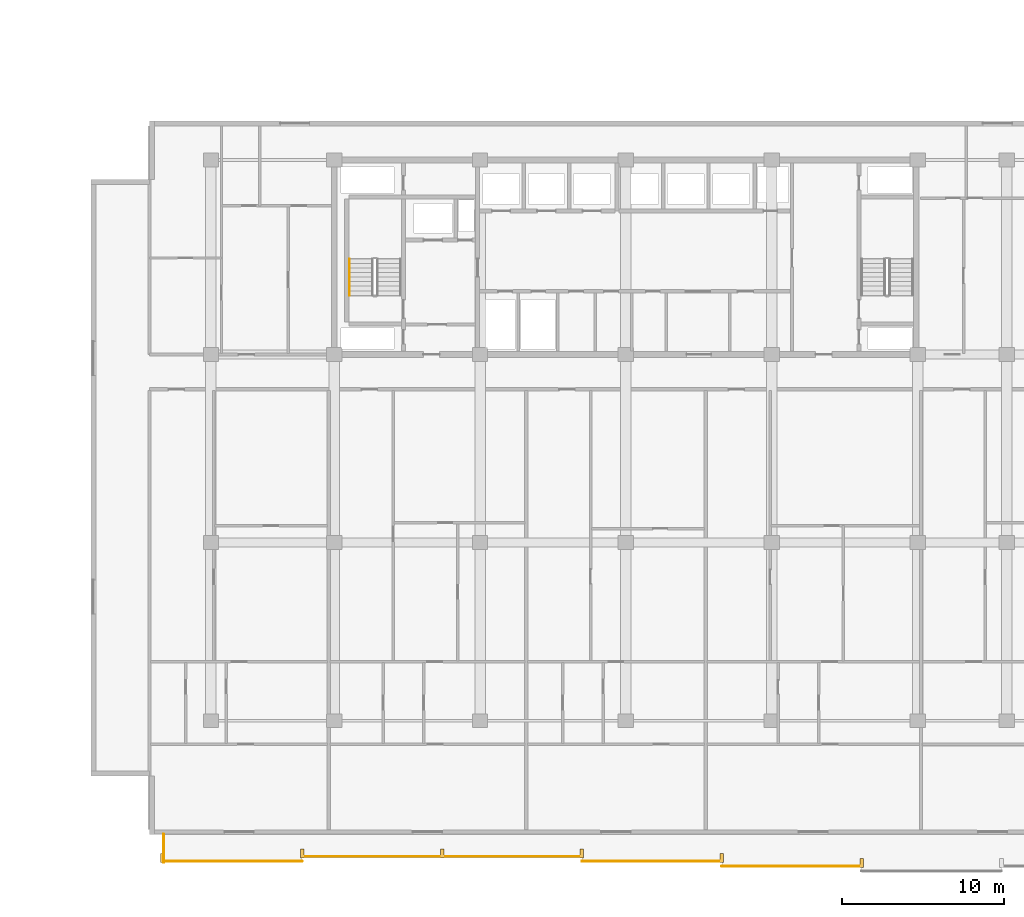
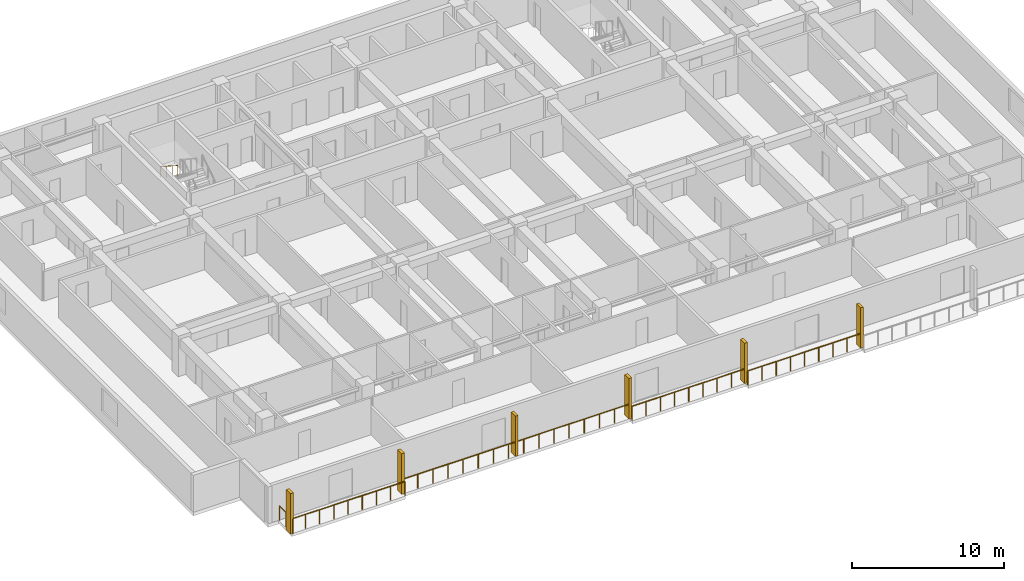
# One storey, part 19 of 23: 6 railings, 6 shading devices.
"""IFC4 building model written with IfcOpenShell, lengths in metres."""

import ifcopenshell
import ifcopenshell.guid

model = None  # the IFC model being written
_history = None  # IfcOwnerHistory: only IFC2X3 demands one
_inside = {}  # id of a spatial element -> (the spatial element, [elements in it])
_under = {}  # id of a project, library or spatial element -> (it, [spatial elements below it])
_declared = {}  # id of a project -> (the project, [libraries it declares])
_typed = {}  # id of a type object -> (the type object, [elements of that type])
_made_of = {}  # id of a material, layer set ... -> (it, [elements and type objects made of it])


def new_model(schema):
    """Start an empty IFC model of exactly this schema.

    Asked for "IFC4X3", IfcOpenShell would pick the latest addendum, in which some entities
    have other attributes; the version numbers below select the first issue.
    IFC2X3 requires an IfcOwnerHistory on every rooted entity: one is made here for all.
    """
    global model, _history
    if schema == "IFC4X3":
        model = ifcopenshell.file(schema_version=(4, 3, 0, 0))
    else:
        model = ifcopenshell.file(schema=schema)
    _inside.clear()
    _under.clear()
    _declared.clear()
    _typed.clear()
    _made_of.clear()
    _history = None
    if model.schema == "IFC2X3":
        org = make("IfcOrganization", Name="unknown")
        user = make(
            "IfcPersonAndOrganization",
            ThePerson=make("IfcPerson", FamilyName="unknown"),
            TheOrganization=org,
        )
        app = make(
            "IfcApplication",
            ApplicationDeveloper=org,
            Version="unknown",
            ApplicationFullName="unknown",
            ApplicationIdentifier="unknown",
        )
        _history = make(
            "IfcOwnerHistory",
            OwningUser=user,
            OwningApplication=app,
            ChangeAction="ADDED",
            CreationDate=0,
        )
    return model


def make(cls, **values):
    """One entity of the class cls with the attributes given. An attribute that is None is left unset."""
    return model.create_entity(
        cls, **{name: value for name, value in values.items() if value is not None}
    )


def rooted(cls, **values):
    """An entity with a GlobalId (a new one), such as an element, a storey or a relation."""
    return make(cls, GlobalId=ifcopenshell.guid.new(), OwnerHistory=_history, **values)


def si_unit(unit_type, name, prefix=None):
    """IfcSIUnit, for example si_unit("LENGTHUNIT", "METRE", prefix="MILLI")."""
    return make("IfcSIUnit", UnitType=unit_type, Prefix=prefix, Name=name)


def assignment(units):
    """IfcUnitAssignment: the units of a project."""
    return None if units is None else make("IfcUnitAssignment", Units=units)


def point(xyz):
    """IfcCartesianPoint."""
    return None if xyz is None else make("IfcCartesianPoint", Coordinates=xyz)


def direction(xyz):
    """IfcDirection."""
    return None if xyz is None else make("IfcDirection", DirectionRatios=xyz)


def frame(location, z_axis=None, x_axis=None):
    """IfcAxis2Placement3D, a coordinate frame: its origin and axes. An axis left out is left unset."""
    return make(
        "IfcAxis2Placement3D",
        Location=point(location),
        Axis=direction(z_axis),
        RefDirection=direction(x_axis),
    )


def frame_2d(location, x_axis=None):
    """IfcAxis2Placement2D, a coordinate frame in the plane: its origin and x axis."""
    return make(
        "IfcAxis2Placement2D", Location=point(location), RefDirection=direction(x_axis)
    )


def origin():
    """The frame at (0, 0, 0) with its axes left unset."""
    return frame((0.0, 0.0, 0.0))


def origin_2d():
    """The frame at (0, 0) in the plane with its x axis left unset."""
    return frame_2d((0.0, 0.0))


def place(relative_to, where):
    """IfcLocalPlacement: puts the frame where relative to a parent placement (None: the world)."""
    return make(
        "IfcLocalPlacement", PlacementRelTo=relative_to, RelativePlacement=where
    )


def context(
    kind, dimensions, precision=None, world=None, true_north=None, identifier=None
):
    """IfcGeometricRepresentationContext, for example the 3D "Model" context."""
    return make(
        "IfcGeometricRepresentationContext",
        ContextIdentifier=identifier,
        ContextType=kind,
        CoordinateSpaceDimension=dimensions,
        Precision=precision,
        WorldCoordinateSystem=world,
        TrueNorth=true_north,
    )


def subcontext(parent, identifier, kind, view, scale=None):
    """IfcGeometricRepresentationSubContext, for example "Body" below "Model"."""
    return make(
        "IfcGeometricRepresentationSubContext",
        ContextIdentifier=identifier,
        ContextType=kind,
        ParentContext=parent,
        TargetScale=scale,
        TargetView=view,
    )


def project(units=None, contexts=None):
    """IfcProject with its units and contexts."""
    return rooted(
        "IfcProject",
        Name="project",
        RepresentationContexts=contexts,
        UnitsInContext=assignment(units),
    )


def spatial(cls, under=None, at=None, **own):
    """A site, building, storey or space (cls), placed at a placement, below another one or the project."""
    s = rooted(cls, ObjectPlacement=at, **own)
    if under is not None:
        _under.setdefault(under.id(), (under, []))[1].append(s)
    return s


def profile(cls, at=None, kind="AREA", **sizes):
    """A parametric profile (cls). Its sizes go by their IFC names, for example OverallWidth=200.0."""
    return make(cls, ProfileType=kind, Position=at, **sizes)


def rectangle(**sizes):
    """IfcRectangleProfileDef."""
    return profile("IfcRectangleProfileDef", **sizes)


def circle(**sizes):
    """IfcCircleProfileDef."""
    return profile("IfcCircleProfileDef", **sizes)


def extrude(swept, where, along, depth):
    """IfcExtrudedAreaSolid: the profile swept, set in the frame where, extruded along a direction by depth."""
    return make(
        "IfcExtrudedAreaSolid",
        SweptArea=swept,
        Position=where,
        ExtrudedDirection=direction(along),
        Depth=depth,
    )


def shape(context_of_items, identifier, shape_type, items):
    """IfcShapeRepresentation: the items that make up one representation, for example the "Body"."""
    return make(
        "IfcShapeRepresentation",
        ContextOfItems=context_of_items,
        RepresentationIdentifier=identifier,
        RepresentationType=shape_type,
        Items=items,
    )


def material(Name=None, Category=None):
    """IfcMaterial."""
    return make("IfcMaterial", Name=Name, Category=Category)


def made_of(thing, what):
    """Note that an element or type object is made of a material, layer set ...; save() writes the relation."""
    if what is not None:
        _made_of.setdefault(what.id(), (what, []))[1].append(thing)
    return thing


def type_object(cls, material=None, **own):
    """A type object (cls), such as IfcWallType, which elements share."""
    return made_of(rooted(cls, **own), material)


def element(
    cls,
    number,
    at=None,
    inside=None,
    cuts=None,
    type_object=None,
    material=None,
    context=None,
    identifier="Body",
    shape_type=None,
    held_by="IfcProductDefinitionShape",
    body=None,
    shapes=None,
    **own,
):
    """One element of the class cls, such as IfcWall. Its Tag is "e" and its number.

    at: its placement. inside: the storey or other place that contains it. cuts: it is an
    opening in that element (IfcRelVoidsElement). A single representation is given by context,
    identifier, shape_type and body (its items); several are given by shapes. held_by: the class
    of the entity that holds the representations. save() writes the other relations.
    """
    e = rooted(cls, Tag="e%d" % number, ObjectPlacement=at, **own)
    if body is not None:
        shapes = [shape(context, identifier, shape_type, body)]
    if shapes is not None:
        e.Representation = make(held_by, Representations=shapes)
    if inside is not None:
        _inside.setdefault(inside.id(), (inside, []))[1].append(e)
    if cuts is not None:
        rooted(
            "IfcRelVoidsElement", RelatingBuildingElement=cuts, RelatedOpeningElement=e
        )
    if type_object is not None:
        _typed.setdefault(type_object.id(), (type_object, []))[1].append(e)
    return made_of(e, material)


def aggregate(whole, parts):
    """IfcRelAggregates: a whole, such as a stair, and the parts it consists of."""
    return rooted("IfcRelAggregates", RelatingObject=whole, RelatedObjects=parts)


def save(model, path):
    """Write the relations noted so far, then the file.

    IfcRelAggregates (storeys below a building ...), IfcRelContainedInSpatialStructure (elements
    in a storey), IfcRelDefinesByType, IfcRelAssociatesMaterial and IfcRelDeclares: one each for
    every whole, place, type object, material and project.
    """
    for whole, parts in _under.values():
        aggregate(whole, parts)
    for where, things in _inside.values():
        rooted(
            "IfcRelContainedInSpatialStructure",
            RelatedElements=things,
            RelatingStructure=where,
        )
    for kind, things in _typed.values():
        rooted("IfcRelDefinesByType", RelatedObjects=things, RelatingType=kind)
    for what, things in _made_of.values():
        rooted("IfcRelAssociatesMaterial", RelatedObjects=things, RelatingMaterial=what)
    for by, libraries in _declared.values():
        rooted("IfcRelDeclares", RelatingContext=by, RelatedDefinitions=libraries)
    model.write(path)


model = new_model("IFC4")

# Units and contexts
model_context = context("Model", 3, precision=1e-05, world=origin(), true_north=direction((0.0, 1.0)))
body_context = subcontext(model_context, "Body", "Model", "MODEL_VIEW")
ifc_project = project(units=[si_unit("LENGTHUNIT", "METRE"), si_unit("AREAUNIT", "SQUARE_METRE"), si_unit("VOLUMEUNIT", "CUBIC_METRE"), si_unit("PLANEANGLEUNIT", "RADIAN"), si_unit("MASSUNIT", "GRAM", prefix="KILO")], contexts=[model_context])

# Site, building, storey
site_placement = place(None, origin())
site = spatial("IfcSite", under=ifc_project, at=site_placement, CompositionType="ELEMENT")
building_placement = place(site_placement, origin())
building = spatial("IfcBuilding", under=site, at=building_placement, Name="Korimba Cascade Residences", CompositionType="ELEMENT")
storey_placement = place(building_placement, frame((0.0, 0.0, 27.25)))
storey = spatial("IfcBuildingStorey", under=building, at=storey_placement, Name="L06", CompositionType="ELEMENT", Elevation=27.25)

# Railings
ifc_material_1 = material(Name="Laminated Glass and Bronze Balustrade", Category="glass")
railing_type_1 = type_object("IfcRailingType", Name="RLG-LOG-1150", PredefinedType="BALUSTRADE", material=ifc_material_1)
railing_1_placement = place(storey_placement, frame((71.5, -12.8701171875, 0.0)))
element("IfcRailing", 1, at=railing_1_placement, inside=storey, type_object=railing_type_1, Name="L06 Perimeter Guardrail RLG-L06-T2-LOG-01", PredefinedType="BALUSTRADE", context=body_context, shape_type="SweptSolid", body=[
    extrude(circle(Radius=0.02392578125, at=origin_2d()), frame((0.0, 0.0, 1.1259765625), z_axis=(1.0, 0.0, 0.0), x_axis=(0.0, 1.0, 0.0)), (0.0, 0.0, 1.0), 8.628662109375),
    extrude(circle(Radius=0.02099609375, at=origin_2d()), origin(), (0.0, 0.0, 1.0), 1.101806640625),
    extrude(circle(Radius=0.02099609375, at=origin_2d()), frame((1.07861328125, 0.0, 0.0)), (0.0, 0.0, 1.0), 1.101806640625),
    extrude(circle(Radius=0.02099609375, at=origin_2d()), frame((2.1572265625, 0.0, 0.0)), (0.0, 0.0, 1.0), 1.101806640625),
    extrude(circle(Radius=0.02099609375, at=origin_2d()), frame((3.23583984375, 0.0, 0.0)), (0.0, 0.0, 1.0), 1.101806640625),
    extrude(circle(Radius=0.02099609375, at=origin_2d()), frame((4.314453125, 0.0, 0.0)), (0.0, 0.0, 1.0), 1.101806640625),
    extrude(circle(Radius=0.02099609375, at=origin_2d()), frame((5.392822265625, 0.0, 0.0)), (0.0, 0.0, 1.0), 1.101806640625),
    extrude(circle(Radius=0.02099609375, at=origin_2d()), frame((6.471435546875, 0.0, 0.0)), (0.0, 0.0, 1.0), 1.101806640625),
    extrude(circle(Radius=0.02099609375, at=origin_2d()), frame((7.550048828125, 0.0, 0.0)), (0.0, 0.0, 1.0), 1.101806640625),
    extrude(circle(Radius=0.02099609375, at=origin_2d()), frame((8.628662109375, 0.0, 0.0)), (0.0, 0.0, 1.0), 1.101806640625),
])
railing_2_placement = place(storey_placement, frame((80.128662109375, -12.570068359375, 0.0)))
element("IfcRailing", 2, at=railing_2_placement, inside=storey, type_object=railing_type_1, Name="L06 Perimeter Guardrail RLG-L06-T2-LOG-02", PredefinedType="BALUSTRADE", context=body_context, shape_type="SweptSolid", body=[
    extrude(circle(Radius=0.02392578125, at=origin_2d()), frame((0.0, 0.0, 1.1259765625), z_axis=(1.0, 0.0, 0.0), x_axis=(0.0, 1.0, 0.0)), (0.0, 0.0, 1.0), 17.257080078125),
    extrude(circle(Radius=0.02099609375, at=origin_2d()), origin(), (0.0, 0.0, 1.0), 1.101806640625),
    extrude(circle(Radius=0.02099609375, at=origin_2d()), frame((1.150390625, 0.0, 0.0)), (0.0, 0.0, 1.0), 1.101806640625),
    extrude(circle(Radius=0.02099609375, at=origin_2d()), frame((2.301025390625, 0.0, 0.0)), (0.0, 0.0, 1.0), 1.101806640625),
    extrude(circle(Radius=0.02099609375, at=origin_2d()), frame((3.451416015625, 0.0, 0.0)), (0.0, 0.0, 1.0), 1.101806640625),
    extrude(circle(Radius=0.02099609375, at=origin_2d()), frame((4.601806640625, 0.0, 0.0)), (0.0, 0.0, 1.0), 1.101806640625),
    extrude(circle(Radius=0.02099609375, at=origin_2d()), frame((5.75244140625, 0.0, 0.0)), (0.0, 0.0, 1.0), 1.101806640625),
    extrude(circle(Radius=0.02099609375, at=origin_2d()), frame((6.90283203125, 0.0, 0.0)), (0.0, 0.0, 1.0), 1.101806640625),
    extrude(circle(Radius=0.02099609375, at=origin_2d()), frame((8.05322265625, 0.0, 0.0)), (0.0, 0.0, 1.0), 1.101806640625),
    extrude(circle(Radius=0.02099609375, at=origin_2d()), frame((9.203857421875, 0.0, 0.0)), (0.0, 0.0, 1.0), 1.101806640625),
    extrude(circle(Radius=0.02099609375, at=origin_2d()), frame((10.354248046875, 0.0, 0.0)), (0.0, 0.0, 1.0), 1.101806640625),
    extrude(circle(Radius=0.02099609375, at=origin_2d()), frame((11.504638671875, 0.0, 0.0)), (0.0, 0.0, 1.0), 1.101806640625),
    extrude(circle(Radius=0.02099609375, at=origin_2d()), frame((12.6552734375, 0.0, 0.0)), (0.0, 0.0, 1.0), 1.101806640625),
    extrude(circle(Radius=0.02099609375, at=origin_2d()), frame((13.8056640625, 0.0, 0.0)), (0.0, 0.0, 1.0), 1.101806640625),
    extrude(circle(Radius=0.02099609375, at=origin_2d()), frame((14.9560546875, 0.0, 0.0)), (0.0, 0.0, 1.0), 1.101806640625),
    extrude(circle(Radius=0.02099609375, at=origin_2d()), frame((16.106689453125, 0.0, 0.0)), (0.0, 0.0, 1.0), 1.101806640625),
    extrude(circle(Radius=0.02099609375, at=origin_2d()), frame((17.257080078125, 0.0, 0.0)), (0.0, 0.0, 1.0), 1.101806640625),
])
railing_3_placement = place(storey_placement, frame((97.3857421875, -12.8701171875, 0.0)))
element("IfcRailing", 3, at=railing_3_placement, inside=storey, type_object=railing_type_1, Name="L06 Perimeter Guardrail RLG-L06-T2-LOG-03", PredefinedType="BALUSTRADE", context=body_context, shape_type="SweptSolid", body=[
    extrude(circle(Radius=0.02392578125, at=origin_2d()), frame((0.0, 0.0, 1.1259765625), z_axis=(1.0, 0.0, 0.0), x_axis=(0.0, 1.0, 0.0)), (0.0, 0.0, 1.0), 8.628662109375),
    extrude(circle(Radius=0.02099609375, at=origin_2d()), origin(), (0.0, 0.0, 1.0), 1.101806640625),
    extrude(circle(Radius=0.02099609375, at=origin_2d()), frame((1.07861328125, 0.0, 0.0)), (0.0, 0.0, 1.0), 1.101806640625),
    extrude(circle(Radius=0.02099609375, at=origin_2d()), frame((2.1572265625, 0.0, 0.0)), (0.0, 0.0, 1.0), 1.101806640625),
    extrude(circle(Radius=0.02099609375, at=origin_2d()), frame((3.23583984375, 0.0, 0.0)), (0.0, 0.0, 1.0), 1.101806640625),
    extrude(circle(Radius=0.02099609375, at=origin_2d()), frame((4.314453125, 0.0, 0.0)), (0.0, 0.0, 1.0), 1.101806640625),
    extrude(circle(Radius=0.02099609375, at=origin_2d()), frame((5.392822265625, 0.0, 0.0)), (0.0, 0.0, 1.0), 1.101806640625),
    extrude(circle(Radius=0.02099609375, at=origin_2d()), frame((6.471435546875, 0.0, 0.0)), (0.0, 0.0, 1.0), 1.101806640625),
    extrude(circle(Radius=0.02099609375, at=origin_2d()), frame((7.550048828125, 0.0, 0.0)), (0.0, 0.0, 1.0), 1.101806640625),
    extrude(circle(Radius=0.02099609375, at=origin_2d()), frame((8.628662109375, 0.0, 0.0)), (0.0, 0.0, 1.0), 1.101806640625),
])
railing_4_placement = place(storey_placement, frame((106.014404296875, -13.169921875, 0.0)))
element("IfcRailing", 4, at=railing_4_placement, inside=storey, type_object=railing_type_1, Name="L06 Perimeter Guardrail RLG-L06-T2-LOG-04", PredefinedType="BALUSTRADE", context=body_context, shape_type="SweptSolid", body=[
    extrude(circle(Radius=0.02392578125, at=origin_2d()), frame((0.0, 0.0, 1.1259765625), z_axis=(1.0, 0.0, 0.0), x_axis=(0.0, 1.0, 0.0)), (0.0, 0.0, 1.0), 8.62841796875),
    extrude(circle(Radius=0.02099609375, at=origin_2d()), origin(), (0.0, 0.0, 1.0), 1.101806640625),
    extrude(circle(Radius=0.02099609375, at=origin_2d()), frame((1.07861328125, 0.0, 0.0)), (0.0, 0.0, 1.0), 1.101806640625),
    extrude(circle(Radius=0.02099609375, at=origin_2d()), frame((2.1572265625, 0.0, 0.0)), (0.0, 0.0, 1.0), 1.101806640625),
    extrude(circle(Radius=0.02099609375, at=origin_2d()), frame((3.235595703125, 0.0, 0.0)), (0.0, 0.0, 1.0), 1.101806640625),
    extrude(circle(Radius=0.02099609375, at=origin_2d()), frame((4.314208984375, 0.0, 0.0)), (0.0, 0.0, 1.0), 1.101806640625),
    extrude(circle(Radius=0.02099609375, at=origin_2d()), frame((5.392822265625, 0.0, 0.0)), (0.0, 0.0, 1.0), 1.101806640625),
    extrude(circle(Radius=0.02099609375, at=origin_2d()), frame((6.47119140625, 0.0, 0.0)), (0.0, 0.0, 1.0), 1.101806640625),
    extrude(circle(Radius=0.02099609375, at=origin_2d()), frame((7.5498046875, 0.0, 0.0)), (0.0, 0.0, 1.0), 1.101806640625),
    extrude(circle(Radius=0.02099609375, at=origin_2d()), frame((8.62841796875, 0.0, 0.0)), (0.0, 0.0, 1.0), 1.101806640625),
])
railing_5_placement = place(storey_placement, frame((71.580078125, -11.199951171875, 0.0)))
element("IfcRailing", 5, at=railing_5_placement, inside=storey, type_object=railing_type_1, Name="L06 Perimeter Guardrail RLG-L06-T2-LOG-08", PredefinedType="BALUSTRADE", context=body_context, shape_type="SweptSolid", body=[
    extrude(circle(Radius=0.02392578125, at=origin_2d()), frame((0.0, 0.0, 1.1259765625), z_axis=(0.0, -1.0, 0.0), x_axis=(1.0, 0.0, 0.0)), (0.0, 0.0, 1.0), 1.75),
    extrude(circle(Radius=0.02099609375, at=origin_2d()), origin(), (0.0, 0.0, 1.0), 1.101806640625),
    extrude(circle(Radius=0.02099609375, at=origin_2d()), frame((0.0, -0.875, 0.0)), (0.0, 0.0, 1.0), 1.101806640625),
    extrude(circle(Radius=0.02099609375, at=origin_2d()), frame((0.0, -1.75, 0.0)), (0.0, 0.0, 1.0), 1.101806640625),
])
ifc_material_2 = material(Name="Brushed Stainless Steel Handrail", Category="steel")
railing_type_2 = type_object("IfcRailingType", Name="RLG-ST-HR900", PredefinedType="HANDRAIL", material=ifc_material_2)
railing_6_placement = place(storey_placement, frame((83.050048828125, 24.2900390625, 1.989990234375)))
element("IfcRailing", 6, at=railing_6_placement, inside=storey, type_object=railing_type_2, Name="L06 ST-E1 stair handrail 2", PredefinedType="HANDRAIL", context=body_context, shape_type="SweptSolid", body=[
    extrude(circle(Radius=0.02392578125, at=origin_2d()), frame((0.0, 0.0, 0.8759765625), z_axis=(0.0, -0.840436612492, 0.541909863706), x_axis=(1.0, 0.0, 0.0)), (0.0, 0.0, 1.0), 2.665283203125),
    extrude(circle(Radius=0.02099609375, at=origin_2d()), origin(), (0.0, 0.0, 1.0), 0.851806640625),
    extrude(circle(Radius=0.02099609375, at=origin_2d()), frame((0.0, -0.74658203125, 0.4814453125)), (0.0, 0.0, 1.0), 0.851806640625),
    extrude(circle(Radius=0.02099609375, at=origin_2d()), frame((0.0, -1.493408203125, 0.962890625)), (0.0, 0.0, 1.0), 0.851806640625),
    extrude(circle(Radius=0.02099609375, at=origin_2d()), frame((0.0, -2.239990234375, 1.4443359375)), (0.0, 0.0, 1.0), 0.851806640625),
])

# Shading devices
ifc_material_3 = material(Name="Honed Sandstone Precast Fin", Category="masonry")
shading_device_type = type_object("IfcShadingDeviceType", Name="SHD-FIN-550", PredefinedType="USERDEFINED", material=ifc_material_3)
for number, where, z_axis, x_axis, name in (
    (7, (71.5, -12.675048828125, 0.0), (0.0, 0.0, 1.0), (1.0, 0.0, 0.0), "L06 T2 Warm-Stone Loggia Fin 1"),
    (8, (80.128662109375, -12.375, 0.0), (0.0, 0.0, 1.0), (1.0, 0.0, 0.0), "L06 T2 Warm-Stone Loggia Fin 2"),
    (9, (88.757080078125, -12.375, 0.0), (0.0, 0.0, 1.0), (1.0, 0.0, 0.0), "L06 T2 Warm-Stone Loggia Fin 3"),
    (10, (97.3857421875, -12.375, 0.0), (0.0, 0.0, 1.0), (1.0, 0.0, 0.0), "L06 T2 Warm-Stone Loggia Fin 4"),
    (11, (106.014404296875, -12.675048828125, 0.0), (0.0, 0.0, 1.0), (1.0, 0.0, 0.0), "L06 T2 Warm-Stone Loggia Fin 5"),
    (12, (114.642822265625, -12.97509765625, 0.0), (0.0, 0.0, 1.0), (1.0, 0.0, 0.0), "L06 T2 Warm-Stone Loggia Fin 6"),
):
    element("IfcShadingDevice", number, at=place(storey_placement, frame(where, z_axis=z_axis, x_axis=x_axis)), inside=storey, type_object=shading_device_type, Name=name, ObjectType="FIN", PredefinedType="USERDEFINED", context=body_context, shape_type="SweptSolid", body=[
        extrude(rectangle(XDim=0.219970703125, YDim=0.550048828125, at=origin_2d()), origin(), (0.0, 0.0, 1.0), 3.25),
    ])

save(model, "model.ifc")
